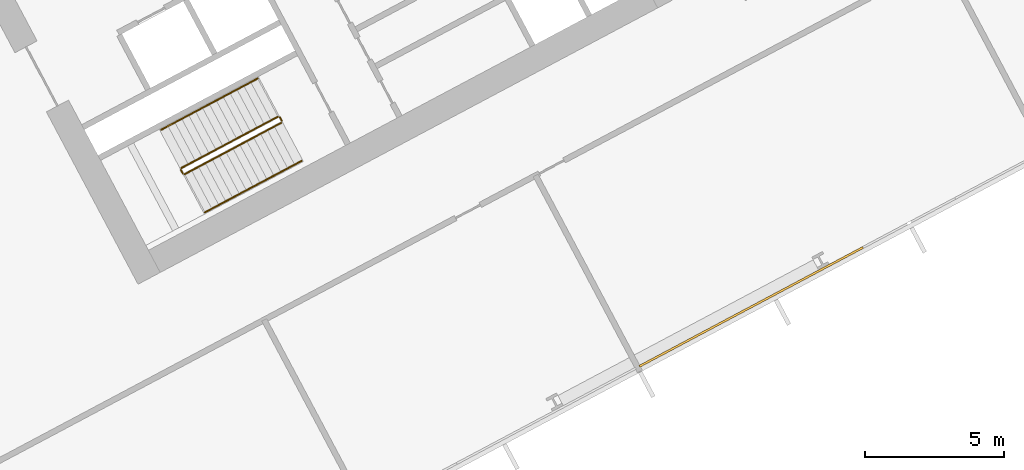
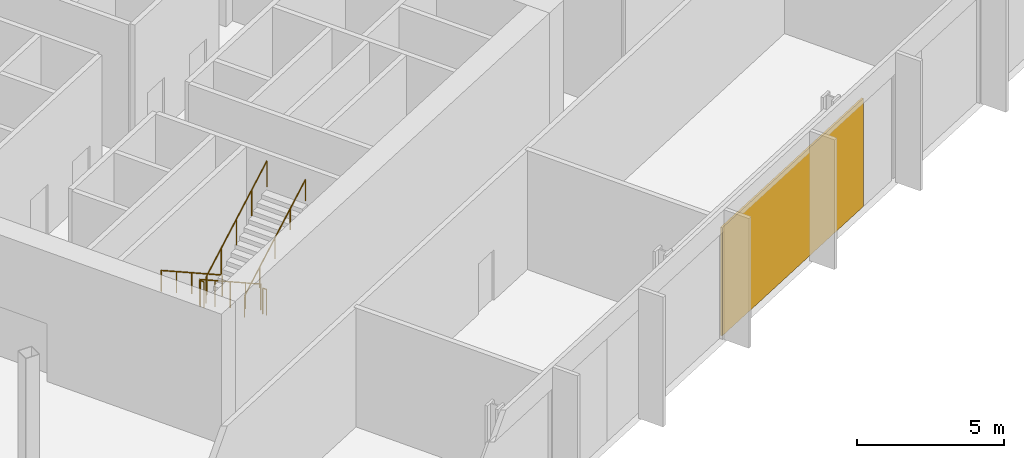
# One storey, part 27 of 31: 6 railings, 1 covering, 1 element without a shape of its own.
"""IFC4 building model written with IfcOpenShell, lengths in metres."""

from ifc_helpers import new_model, si_unit, direction, frame, origin, origin_2d, place, context, subcontext, project, spatial, polyline, rectangle, outline, extrude, material, layer, layer_set, type_object, element, aggregate, save


model = new_model("IFC4")

# Units and contexts
model_context = context("Model", 3, precision=1e-05, world=origin(), true_north=direction((0.0, 1.0)))
body_context = subcontext(model_context, "Body", "Model", "MODEL_VIEW")
ifc_project = project(units=[si_unit("LENGTHUNIT", "METRE"), si_unit("AREAUNIT", "SQUARE_METRE"), si_unit("VOLUMEUNIT", "CUBIC_METRE"), si_unit("PLANEANGLEUNIT", "RADIAN"), si_unit("MASSUNIT", "GRAM", prefix="KILO")], contexts=[model_context])

# Site, building, storey
site_placement = place(None, origin())
site = spatial("IfcSite", under=ifc_project, at=site_placement, CompositionType="ELEMENT")
building_placement = place(site_placement, origin())
building = spatial("IfcBuilding", under=site, at=building_placement, Name="Cormorant Relay Tower", CompositionType="ELEMENT")
storey_placement = place(building_placement, frame((0.0, 0.0, 23.0)))
storey = spatial("IfcBuildingStorey", under=building, at=storey_placement, Name="L04", CompositionType="ELEMENT", Elevation=23.0)

# Curtain wall, covering
ifc_material_1 = material(Name="Aluminium 6063-T6 anodised bronze", Category="aluminium")
ifc_layer_1 = layer(ifc_material_1, 0.235107421875)
ifc_layer_set_1 = layer_set([ifc_layer_1], Name="CW6 data hall curtain wall with mineral wool panels")
curtain_wall_type = type_object("IfcCurtainWallType", Name="CW6 data hall curtain wall with mineral wool panels", PredefinedType="NOTDEFINED", material=ifc_layer_set_1)
curtain_wall_placement = place(storey_placement, origin())
curtain_wall = element("IfcCurtainWall", 1, at=curtain_wall_placement, inside=storey, type_object=curtain_wall_type, Name="CW6 curtain wall 2", PredefinedType="NOTDEFINED")
ifc_material_2 = material(Name="Mineral wool cored anodised bronze aluminium cassette panel", Category="aluminium")
ifc_layer_2 = layer(ifc_material_2, 0.074951171875)
ifc_layer_set_2 = layer_set([ifc_layer_2], Name="CW6 mineral wool cassette panel 75")
covering_type = type_object("IfcCoveringType", Name="CW6 mineral wool cassette panel 75", PredefinedType="CLADDING", material=ifc_layer_set_2)
covering_placement = place(storey_placement, frame((40.80517578125, -2.1298828125, 0.0), z_axis=(0.0, 0.0, 1.0), x_axis=(0.882947592859, 0.469471562786, 0.0)))
covering = element("IfcCovering", 2, at=covering_placement, type_object=covering_type, Name="CW6 panel S07", PredefinedType="CLADDING", context=body_context, shape_type="SweptSolid", body=[
    extrude(rectangle(XDim=9.07373046875, YDim=0.074951171875, at=origin_2d()), origin(), (0.0, 0.0, 1.0), 4.5),
])
aggregate(curtain_wall, [covering])

# Railings
ifc_material_3 = material(Name="Steel ASTM A572 Grade 50 (Fy 345 MPa)", Category="steel")
railing_type_1 = type_object("IfcRailingType", Name="Stair guard 1100", PredefinedType="GUARDRAIL", material=ifc_material_3)
railing_1_placement = place(storey_placement, frame((23.83837890625, 4.6904296875, 0.179931640625)))
element("IfcRailing", 3, at=railing_1_placement, inside=storey, type_object=railing_type_1, Name="L04 B1 stair guard 1", PredefinedType="GUARDRAIL", context=body_context, shape_type="SweptSolid", body=[
    extrude(outline(polyline([(0.022216796875, 0.00927734375), (0.00927734375, 0.022216796875), (-0.00927734375, 0.022216796875), (-0.022216796875, 0.00927734375), (-0.022216796875, -0.00927734375), (-0.00927734375, -0.022216796875), (0.00927734375, -0.022216796875), (0.022216796875, -0.00927734375), (0.022216796875, 0.00927734375)])), frame((0.0, 0.0, 1.076171875), z_axis=(-0.74271721126, -0.394907409077, 0.540758062681), x_axis=(0.469469396681, -0.882948744594, 0.0)), (0.0, 0.0, 1.0), 4.66015625),
    extrude(outline(polyline([(0.019287109375, 0.008056640625), (0.008056640625, 0.019287109375), (-0.008056640625, 0.019287109375), (-0.019287109375, 0.008056640625), (-0.019287109375, -0.008056640625), (-0.008056640625, -0.019287109375), (0.008056640625, -0.019287109375), (0.019287109375, -0.008056640625), (0.019287109375, 0.008056640625)])), origin(), (0.0, 0.0, 1.0), 1.052001953125),
    extrude(outline(polyline([(0.019287109375, 0.008056640625), (0.008056640625, 0.019287109375), (-0.008056640625, 0.019287109375), (-0.019287109375, 0.008056640625), (-0.019287109375, -0.008056640625), (-0.008056640625, -0.019287109375), (0.008056640625, -0.019287109375), (0.019287109375, -0.008056640625), (0.019287109375, 0.008056640625)])), frame((-0.865234375, -0.4599609375, 0.6298828125)), (0.0, 0.0, 1.0), 1.052001953125),
    extrude(outline(polyline([(0.019287109375, 0.008056640625), (0.008056640625, 0.019287109375), (-0.008056640625, 0.019287109375), (-0.019287109375, 0.008056640625), (-0.019287109375, -0.008056640625), (-0.008056640625, -0.019287109375), (0.008056640625, -0.019287109375), (0.019287109375, -0.008056640625), (0.019287109375, 0.008056640625)])), frame((-1.73046875, -0.920166015625, 1.260009765625)), (0.0, 0.0, 1.0), 1.052001953125),
    extrude(outline(polyline([(0.019287109375, 0.008056640625), (0.008056640625, 0.019287109375), (-0.008056640625, 0.019287109375), (-0.019287109375, 0.008056640625), (-0.019287109375, -0.008056640625), (-0.008056640625, -0.019287109375), (0.008056640625, -0.019287109375), (0.019287109375, -0.008056640625), (0.019287109375, 0.008056640625)])), frame((-2.595947265625, -1.38037109375, 1.89013671875)), (0.0, 0.0, 1.0), 1.052001953125),
    extrude(outline(polyline([(0.019287109375, 0.008056640625), (0.008056640625, 0.019287109375), (-0.008056640625, 0.019287109375), (-0.019287109375, 0.008056640625), (-0.019287109375, -0.008056640625), (-0.008056640625, -0.019287109375), (0.008056640625, -0.019287109375), (0.019287109375, -0.008056640625), (0.019287109375, 0.008056640625)])), frame((-3.461181640625, -1.84033203125, 2.52001953125)), (0.0, 0.0, 1.0), 1.052001953125),
])
railing_2_placement = place(storey_placement, frame((20.3564453125, 2.782470703125, 2.699951171875)))
element("IfcRailing", 4, at=railing_2_placement, inside=storey, type_object=railing_type_1, Name="L04 B1 stair guard 2", PredefinedType="GUARDRAIL", context=body_context, shape_type="SweptSolid", body=[
    extrude(outline(polyline([(0.022216796875, 0.00927734375), (0.00927734375, 0.022216796875), (-0.00927734375, 0.022216796875), (-0.022216796875, 0.00927734375), (-0.022216796875, -0.00927734375), (-0.00927734375, -0.022216796875), (0.00927734375, -0.022216796875), (0.022216796875, -0.00927734375), (0.022216796875, 0.00927734375)])), frame((0.0, 0.0, 1.076171875), z_axis=(0.470503732759, -0.882398003998, 0.0), x_axis=(0.882398003998, 0.470503732759, 0.0)), (0.0, 0.0, 1.0), 0.14990234375),
    extrude(outline(polyline([(0.019287109375, 0.008056640625), (0.008056640625, 0.019287109375), (-0.008056640625, 0.019287109375), (-0.019287109375, 0.008056640625), (-0.019287109375, -0.008056640625), (-0.008056640625, -0.019287109375), (0.008056640625, -0.019287109375), (0.019287109375, -0.008056640625), (0.019287109375, 0.008056640625)])), origin(), (0.0, 0.0, 1.0), 1.052001953125),
    extrude(outline(polyline([(0.019287109375, 0.008056640625), (0.008056640625, 0.019287109375), (-0.008056640625, 0.019287109375), (-0.019287109375, 0.008056640625), (-0.019287109375, -0.008056640625), (-0.008056640625, -0.019287109375), (0.008056640625, -0.019287109375), (0.019287109375, -0.008056640625), (0.019287109375, 0.008056640625)])), frame((0.070556640625, -0.13232421875, 0.0)), (0.0, 0.0, 1.0), 1.052001953125),
])
railing_3_placement = place(storey_placement, frame((20.49462890625, 2.62939453125, 2.8798828125)))
element("IfcRailing", 5, at=railing_3_placement, inside=storey, type_object=railing_type_1, Name="L04 B1 stair guard 3", PredefinedType="GUARDRAIL", context=body_context, shape_type="SweptSolid", body=[
    extrude(outline(polyline([(0.022216796875, 0.00927734375), (0.00927734375, 0.022216796875), (-0.00927734375, 0.022216796875), (-0.022216796875, 0.00927734375), (-0.022216796875, -0.00927734375), (-0.00927734375, -0.022216796875), (0.00927734375, -0.022216796875), (0.022216796875, -0.00927734375), (0.022216796875, 0.00927734375)])), frame((0.0, 0.0, 1.076171875), z_axis=(0.742693720225, 0.394922775329, 0.540779104131), x_axis=(-0.469495214196, 0.882935016775, 0.0)), (0.0, 0.0, 1.0), 4.659912109375),
    extrude(outline(polyline([(0.019287109375, 0.008056640625), (0.008056640625, 0.019287109375), (-0.008056640625, 0.019287109375), (-0.019287109375, 0.008056640625), (-0.019287109375, -0.008056640625), (-0.008056640625, -0.019287109375), (0.008056640625, -0.019287109375), (0.019287109375, -0.008056640625), (0.019287109375, 0.008056640625)])), origin(), (0.0, 0.0, 1.0), 1.052001953125),
    extrude(outline(polyline([(0.019287109375, 0.008056640625), (0.008056640625, 0.019287109375), (-0.008056640625, 0.019287109375), (-0.019287109375, 0.008056640625), (-0.019287109375, -0.008056640625), (-0.008056640625, -0.019287109375), (0.008056640625, -0.019287109375), (0.019287109375, -0.008056640625), (0.019287109375, 0.008056640625)])), frame((0.865234375, 0.4599609375, 0.6298828125)), (0.0, 0.0, 1.0), 1.052001953125),
    extrude(outline(polyline([(0.019287109375, 0.008056640625), (0.008056640625, 0.019287109375), (-0.008056640625, 0.019287109375), (-0.019287109375, 0.008056640625), (-0.019287109375, -0.008056640625), (-0.008056640625, -0.019287109375), (0.008056640625, -0.019287109375), (0.019287109375, -0.008056640625), (0.019287109375, 0.008056640625)])), frame((1.73046875, 0.920166015625, 1.260009765625)), (0.0, 0.0, 1.0), 1.052001953125),
    extrude(outline(polyline([(0.019287109375, 0.008056640625), (0.008056640625, 0.019287109375), (-0.008056640625, 0.019287109375), (-0.019287109375, 0.008056640625), (-0.019287109375, -0.008056640625), (-0.008056640625, -0.019287109375), (0.008056640625, -0.019287109375), (0.019287109375, -0.008056640625), (0.019287109375, 0.008056640625)])), frame((2.595703125, 1.38037109375, 1.89013671875)), (0.0, 0.0, 1.0), 1.052001953125),
    extrude(outline(polyline([(0.019287109375, 0.008056640625), (0.008056640625, 0.019287109375), (-0.008056640625, 0.019287109375), (-0.019287109375, 0.008056640625), (-0.019287109375, -0.008056640625), (-0.008056640625, -0.019287109375), (0.008056640625, -0.019287109375), (0.019287109375, -0.008056640625), (0.019287109375, 0.008056640625)])), frame((3.4609375, 1.84033203125, 2.52001953125)), (0.0, 0.0, 1.0), 1.052001953125),
])
railing_4_placement = place(storey_placement, frame((23.906005859375, 4.669677734375, 0.0)))
element("IfcRailing", 6, at=railing_4_placement, inside=storey, type_object=railing_type_1, Name="L04 B1 stair guard 4", PredefinedType="GUARDRAIL", context=body_context, shape_type="SweptSolid", body=[
    extrude(outline(polyline([(0.022216796875, 0.00927734375), (0.00927734375, 0.022216796875), (-0.00927734375, 0.022216796875), (-0.022216796875, 0.00927734375), (-0.022216796875, -0.00927734375), (-0.00927734375, -0.022216796875), (0.00927734375, -0.022216796875), (0.022216796875, -0.00927734375), (0.022216796875, 0.00927734375)])), frame((0.0, 0.0, 1.076171875), z_axis=(0.469234640946, -0.883073525669, 0.0), x_axis=(0.883073525669, 0.469234640946, 0.0)), (0.0, 0.0, 1.0), 0.14990234375),
    extrude(outline(polyline([(0.019287109375, 0.008056640625), (0.008056640625, 0.019287109375), (-0.008056640625, 0.019287109375), (-0.019287109375, 0.008056640625), (-0.019287109375, -0.008056640625), (-0.008056640625, -0.019287109375), (0.008056640625, -0.019287109375), (0.019287109375, -0.008056640625), (0.019287109375, 0.008056640625)])), origin(), (0.0, 0.0, 1.0), 1.052001953125),
    extrude(outline(polyline([(0.019287109375, 0.008056640625), (0.008056640625, 0.019287109375), (-0.008056640625, 0.019287109375), (-0.019287109375, 0.008056640625), (-0.019287109375, -0.008056640625), (-0.008056640625, -0.019287109375), (0.008056640625, -0.019287109375), (0.019287109375, -0.008056640625), (0.019287109375, 0.008056640625)])), frame((0.0703125, -0.13232421875, 0.0)), (0.0, 0.0, 1.0), 1.052001953125),
])
ifc_material_4 = material(Name="Steel ASTM A572 Grade 50 (Fy 345 MPa)", Category="steel")
railing_type_2 = type_object("IfcRailingType", Name="Stair handrail 900", PredefinedType="HANDRAIL", material=ifc_material_4)
railing_5_placement = place(storey_placement, frame((23.110595703125, 6.05908203125, 0.179931640625)))
element("IfcRailing", 7, at=railing_5_placement, inside=storey, type_object=railing_type_2, Name="L04 B1 stair handrail 1", PredefinedType="HANDRAIL", context=body_context, shape_type="SweptSolid", body=[
    extrude(outline(polyline([(0.022216796875, 0.00927734375), (0.00927734375, 0.022216796875), (-0.00927734375, 0.022216796875), (-0.022216796875, 0.00927734375), (-0.022216796875, -0.00927734375), (-0.00927734375, -0.022216796875), (0.00927734375, -0.022216796875), (0.022216796875, -0.00927734375), (0.022216796875, 0.00927734375)])), frame((0.0, 0.0, 0.8759765625), z_axis=(-0.74271721126, -0.394907409077, 0.540758062681), x_axis=(0.469469396681, -0.882948744594, 0.0)), (0.0, 0.0, 1.0), 4.66015625),
    extrude(outline(polyline([(0.019287109375, 0.008056640625), (0.008056640625, 0.019287109375), (-0.008056640625, 0.019287109375), (-0.019287109375, 0.008056640625), (-0.019287109375, -0.008056640625), (-0.008056640625, -0.019287109375), (0.008056640625, -0.019287109375), (0.019287109375, -0.008056640625), (0.019287109375, 0.008056640625)])), origin(), (0.0, 0.0, 1.0), 0.851806640625),
    extrude(outline(polyline([(0.019287109375, 0.008056640625), (0.008056640625, 0.019287109375), (-0.008056640625, 0.019287109375), (-0.019287109375, 0.008056640625), (-0.019287109375, -0.008056640625), (-0.008056640625, -0.019287109375), (0.008056640625, -0.019287109375), (0.019287109375, -0.008056640625), (0.019287109375, 0.008056640625)])), frame((-0.865234375, -0.4599609375, 0.6298828125)), (0.0, 0.0, 1.0), 0.851806640625),
    extrude(outline(polyline([(0.019287109375, 0.008056640625), (0.008056640625, 0.019287109375), (-0.008056640625, 0.019287109375), (-0.019287109375, 0.008056640625), (-0.019287109375, -0.008056640625), (-0.008056640625, -0.019287109375), (0.008056640625, -0.019287109375), (0.019287109375, -0.008056640625), (0.019287109375, 0.008056640625)])), frame((-1.73046875, -0.920166015625, 1.260009765625)), (0.0, 0.0, 1.0), 0.851806640625),
    extrude(outline(polyline([(0.019287109375, 0.008056640625), (0.008056640625, 0.019287109375), (-0.008056640625, 0.019287109375), (-0.019287109375, 0.008056640625), (-0.019287109375, -0.008056640625), (-0.008056640625, -0.019287109375), (0.008056640625, -0.019287109375), (0.019287109375, -0.008056640625), (0.019287109375, 0.008056640625)])), frame((-2.595947265625, -1.38037109375, 1.89013671875)), (0.0, 0.0, 1.0), 0.851806640625),
    extrude(outline(polyline([(0.019287109375, 0.008056640625), (0.008056640625, 0.019287109375), (-0.008056640625, 0.019287109375), (-0.019287109375, 0.008056640625), (-0.019287109375, -0.008056640625), (-0.008056640625, -0.019287109375), (0.008056640625, -0.019287109375), (0.019287109375, -0.008056640625), (0.019287109375, 0.008056640625)])), frame((-3.461181640625, -1.84033203125, 2.52001953125)), (0.0, 0.0, 1.0), 0.851806640625),
])
railing_6_placement = place(storey_placement, frame((21.22216796875, 1.2607421875, 2.8798828125)))
element("IfcRailing", 8, at=railing_6_placement, inside=storey, type_object=railing_type_2, Name="L04 B1 stair handrail 2", PredefinedType="HANDRAIL", context=body_context, shape_type="SweptSolid", body=[
    extrude(outline(polyline([(0.022216796875, 0.00927734375), (0.00927734375, 0.022216796875), (-0.00927734375, 0.022216796875), (-0.022216796875, 0.00927734375), (-0.022216796875, -0.00927734375), (-0.00927734375, -0.022216796875), (0.00927734375, -0.022216796875), (0.022216796875, -0.00927734375), (0.022216796875, 0.00927734375)])), frame((0.0, 0.0, 0.8759765625), z_axis=(0.74271721126, 0.394907409077, 0.540758062681), x_axis=(-0.469469396681, 0.882948744594, 0.0)), (0.0, 0.0, 1.0), 4.66015625),
    extrude(outline(polyline([(0.019287109375, 0.008056640625), (0.008056640625, 0.019287109375), (-0.008056640625, 0.019287109375), (-0.019287109375, 0.008056640625), (-0.019287109375, -0.008056640625), (-0.008056640625, -0.019287109375), (0.008056640625, -0.019287109375), (0.019287109375, -0.008056640625), (0.019287109375, 0.008056640625)])), origin(), (0.0, 0.0, 1.0), 0.851806640625),
    extrude(outline(polyline([(0.019287109375, 0.008056640625), (0.008056640625, 0.019287109375), (-0.008056640625, 0.019287109375), (-0.019287109375, 0.008056640625), (-0.019287109375, -0.008056640625), (-0.008056640625, -0.019287109375), (0.008056640625, -0.019287109375), (0.019287109375, -0.008056640625), (0.019287109375, 0.008056640625)])), frame((0.865234375, 0.4599609375, 0.6298828125)), (0.0, 0.0, 1.0), 0.851806640625),
    extrude(outline(polyline([(0.019287109375, 0.008056640625), (0.008056640625, 0.019287109375), (-0.008056640625, 0.019287109375), (-0.019287109375, 0.008056640625), (-0.019287109375, -0.008056640625), (-0.008056640625, -0.019287109375), (0.008056640625, -0.019287109375), (0.019287109375, -0.008056640625), (0.019287109375, 0.008056640625)])), frame((1.73046875, 0.920166015625, 1.260009765625)), (0.0, 0.0, 1.0), 0.851806640625),
    extrude(outline(polyline([(0.019287109375, 0.008056640625), (0.008056640625, 0.019287109375), (-0.008056640625, 0.019287109375), (-0.019287109375, 0.008056640625), (-0.019287109375, -0.008056640625), (-0.008056640625, -0.019287109375), (0.008056640625, -0.019287109375), (0.019287109375, -0.008056640625), (0.019287109375, 0.008056640625)])), frame((2.595947265625, 1.38037109375, 1.89013671875)), (0.0, 0.0, 1.0), 0.851806640625),
    extrude(outline(polyline([(0.019287109375, 0.008056640625), (0.008056640625, 0.019287109375), (-0.008056640625, 0.019287109375), (-0.019287109375, 0.008056640625), (-0.019287109375, -0.008056640625), (-0.008056640625, -0.019287109375), (0.008056640625, -0.019287109375), (0.019287109375, -0.008056640625), (0.019287109375, 0.008056640625)])), frame((3.461181640625, 1.84033203125, 2.52001953125)), (0.0, 0.0, 1.0), 0.851806640625),
])

save(model, "model.ifc")
